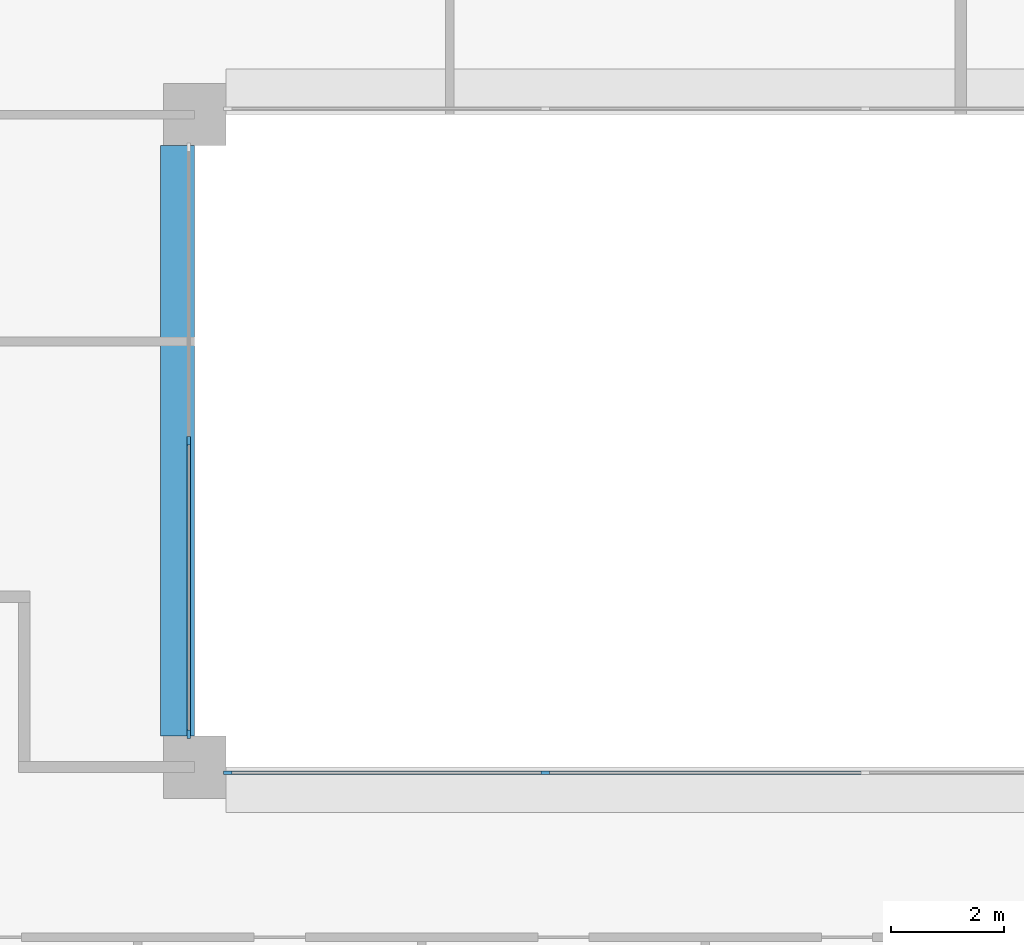
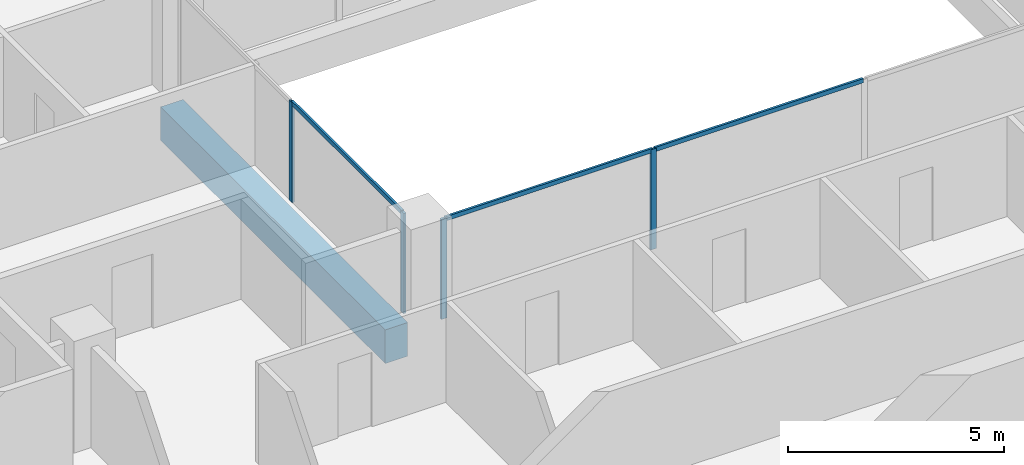
# One storey, part 2 of 15: 7 members, 1 beam, 2 elements without a shape of their own.
"""IFC4 building model written with IfcOpenShell, lengths in metres."""

from ifc_helpers import new_model, si_unit, direction, frame, origin, origin_2d, place, context, subcontext, project, spatial, rectangle, extrude, material, layer, layer_set, material_profile, profile_set, type_object, element, aggregate, save


model = new_model("IFC4")

# Units and contexts
model_context = context("Model", 3, precision=1e-05, world=origin(), true_north=direction((0.0, 1.0)))
body_context = subcontext(model_context, "Body", "Model", "MODEL_VIEW")
ifc_project = project(units=[si_unit("LENGTHUNIT", "METRE"), si_unit("AREAUNIT", "SQUARE_METRE"), si_unit("VOLUMEUNIT", "CUBIC_METRE"), si_unit("PLANEANGLEUNIT", "RADIAN"), si_unit("MASSUNIT", "GRAM", prefix="KILO")], contexts=[model_context])

# Site, building, storey
site_placement = place(None, origin())
site = spatial("IfcSite", under=ifc_project, at=site_placement, CompositionType="ELEMENT")
building_placement = place(site_placement, origin())
building = spatial("IfcBuilding", under=site, at=building_placement, Name="Brigalow Station Residences", CompositionType="ELEMENT")
storey_placement = place(building_placement, frame((0.0, 0.0, 157.050048828125)))
storey = spatial("IfcBuildingStorey", under=building, at=storey_placement, Name="L45", CompositionType="ELEMENT", Elevation=157.050048828125)

# Beam
ifc_material_1 = material(Name="Concrete C65", Category="concrete")
ifc_material_profile_1 = material_profile(ifc_material_1, rectangle(XDim=0.60009765625, YDim=0.949951171875, at=origin_2d()), Name="RC600x950")
ifc_profile_set_1 = profile_set([ifc_material_profile_1], Name="Concrete C65")
beam_type = type_object("IfcBeamType", Name="ATRIUM EDGE GIRDER 600x950 C65", PredefinedType="BEAM", material=ifc_profile_set_1)
beam_placement = place(storey_placement, frame((26.699951171875, 24.550048828125, -0.795166015625), z_axis=(0.0, 1.0, 0.0), x_axis=(-1.0, 0.0, 0.0)))
element("IfcBeam", 1, at=beam_placement, inside=storey, type_object=beam_type, Name="ATRIUM EDGE GIRDER 3 L45", PredefinedType="BEAM", context=body_context, shape_type="SweptSolid", body=[
    extrude(rectangle(XDim=0.60009765625, YDim=0.949951171875, at=origin_2d()), origin(), (0.0, 0.0, 1.0), 10.39990234375),
])

# Curtain wall, members
ifc_material_2 = material(Name="Aluminium", Category="aluminium")
ifc_layer = layer(ifc_material_2, 0.14990234375)
ifc_layer_set = layer_set([ifc_layer], Name="ATRIUM FIRE-RATED GLAZING CURTAIN WALL")
curtain_wall_type = type_object("IfcCurtainWallType", Name="ATRIUM FIRE-RATED GLAZING CURTAIN WALL", PredefinedType="NOTDEFINED", material=ifc_layer_set)
curtain_wall_1_placement = place(storey_placement, origin())
curtain_wall_1 = element("IfcCurtainWall", 2, at=curtain_wall_1_placement, inside=storey, type_object=curtain_wall_type, Name="L45/cw/atrium-S", PredefinedType="NOTDEFINED")
ifc_material_3 = material(Name="Aluminium", Category="aluminium")
ifc_material_profile_2 = material_profile(ifc_material_3, rectangle(XDim=0.06005859375, YDim=0.14990234375, at=origin_2d()), Name="ATRIUM FIRE-RATED GLAZING MULLION 60x150")
ifc_profile_set_2 = profile_set([ifc_material_profile_2], Name="Aluminium")
member_type_1 = type_object("IfcMemberType", Name="ATRIUM FIRE-RATED GLAZING MULLION 60x150", PredefinedType="MULLION", material=ifc_profile_set_2)
member_1_placement = place(storey_placement, frame((27.580078125, 23.89990234375, 0.0), z_axis=(0.0, 0.0, 1.0), x_axis=(0.0, 1.0, 0.0)))
member_1 = element("IfcMember", 3, at=member_1_placement, type_object=member_type_1, Name="L45/cw/atrium-S/M00", PredefinedType="MULLION", context=body_context, shape_type="SweptSolid", body=[
    extrude(rectangle(XDim=0.06005859375, YDim=0.14990234375, at=origin_2d()), origin(), (0.0, 0.0, 1.0), 2.829833984375),
])
member_2_placement = place(storey_placement, frame((33.183349609375, 23.89990234375, 0.0), z_axis=(0.0, 0.0, 1.0), x_axis=(0.0, 1.0, 0.0)))
member_2 = element("IfcMember", 4, at=member_2_placement, type_object=member_type_1, Name="L45/cw/atrium-S/M01", PredefinedType="MULLION", context=body_context, shape_type="SweptSolid", body=[
    extrude(rectangle(XDim=0.06005859375, YDim=0.14990234375, at=origin_2d()), origin(), (0.0, 0.0, 1.0), 2.829833984375),
])

curtain_wall_2_placement = place(storey_placement, origin())
curtain_wall_2 = element("IfcCurtainWall", 5, at=curtain_wall_2_placement, inside=storey, type_object=curtain_wall_type, Name="L45/cw/atrium-W", PredefinedType="NOTDEFINED")
member_3_placement = place(storey_placement, frame((26.89990234375, 29.75, 0.0), z_axis=(0.0, 0.0, 1.0), x_axis=(1.0, 0.0, 0.0)))
member_3 = element("IfcMember", 6, at=member_3_placement, type_object=member_type_1, Name="L45/cw/atrium-W/M01", PredefinedType="MULLION", context=body_context, shape_type="SweptSolid", body=[
    extrude(rectangle(XDim=0.06005859375, YDim=0.14990234375, at=origin_2d()), origin(), (0.0, 0.0, 1.0), 2.829833984375),
])
member_4_placement = place(storey_placement, frame((26.89990234375, 24.580078125, 0.0), z_axis=(0.0, 0.0, 1.0), x_axis=(1.0, 0.0, 0.0)))
member_4 = element("IfcMember", 7, at=member_4_placement, type_object=member_type_1, Name="L45/cw/atrium-W/M02", PredefinedType="MULLION", context=body_context, shape_type="SweptSolid", body=[
    extrude(rectangle(XDim=0.06005859375, YDim=0.14990234375, at=origin_2d()), origin(), (0.0, 0.0, 1.0), 2.829833984375),
])

# Member
ifc_material_4 = material(Name="Aluminium", Category="aluminium")
ifc_material_profile_3 = material_profile(ifc_material_4, rectangle(XDim=0.06005859375, YDim=0.1201171875, at=origin_2d()), Name="ATRIUM FIRE-RATED GLAZING TRANSOM 60x120")
ifc_profile_set_3 = profile_set([ifc_material_profile_3], Name="Aluminium")
member_type_2 = type_object("IfcMemberType", Name="ATRIUM FIRE-RATED GLAZING TRANSOM 60x120", PredefinedType="USERDEFINED", material=ifc_profile_set_3)
member_5_placement = place(storey_placement, frame((27.610107421875, 23.89990234375, 2.800048828125), z_axis=(1.0, 0.0, 0.0), x_axis=(0.0, 1.0, 0.0)))
member_5 = element("IfcMember", 8, at=member_5_placement, type_object=member_type_2, Name="L45/cw/atrium-S/T00-00", ObjectType="TRANSOM", PredefinedType="USERDEFINED", context=body_context, shape_type="SweptSolid", body=[
    extrude(rectangle(XDim=0.06005859375, YDim=0.1201171875, at=origin_2d()), origin(), (0.0, 0.0, 1.0), 5.543212890625),
])

member_6_placement = place(storey_placement, frame((33.21337890625, 23.89990234375, 2.800048828125), z_axis=(1.0, 0.0, 0.0), x_axis=(0.0, 1.0, 0.0)))
member_6 = element("IfcMember", 9, at=member_6_placement, type_object=member_type_2, Name="L45/cw/atrium-S/T01-00", ObjectType="TRANSOM", PredefinedType="USERDEFINED", context=body_context, shape_type="SweptSolid", body=[
    extrude(rectangle(XDim=0.06005859375, YDim=0.1201171875, at=origin_2d()), origin(), (0.0, 0.0, 1.0), 5.5732421875),
])

aggregate(curtain_wall_1, [member_1, member_2, member_5, member_6])

member_7_placement = place(storey_placement, frame((26.89990234375, 29.719970703125, 2.800048828125), z_axis=(0.0, -1.0, 0.0), x_axis=(1.0, 0.0, 0.0)))
member_7 = element("IfcMember", 10, at=member_7_placement, type_object=member_type_2, Name="L45/cw/atrium-W/T01-00", ObjectType="TRANSOM", PredefinedType="USERDEFINED", context=body_context, shape_type="SweptSolid", body=[
    extrude(rectangle(XDim=0.06005859375, YDim=0.1201171875, at=origin_2d()), origin(), (0.0, 0.0, 1.0), 5.10986328125),
])

aggregate(curtain_wall_2, [member_3, member_4, member_7])

save(model, "model.ifc")
